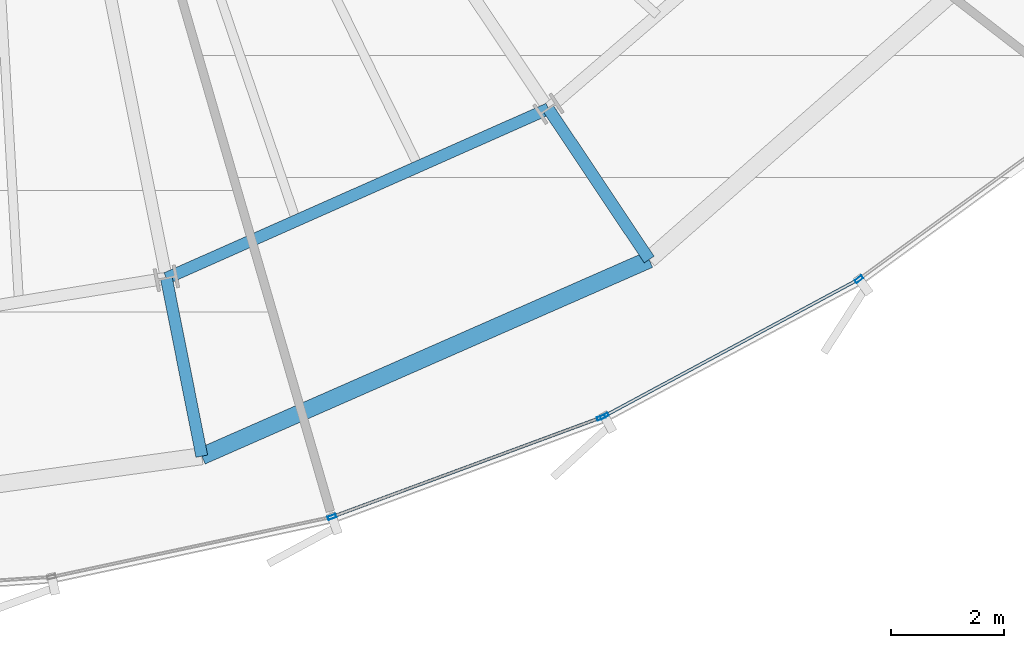
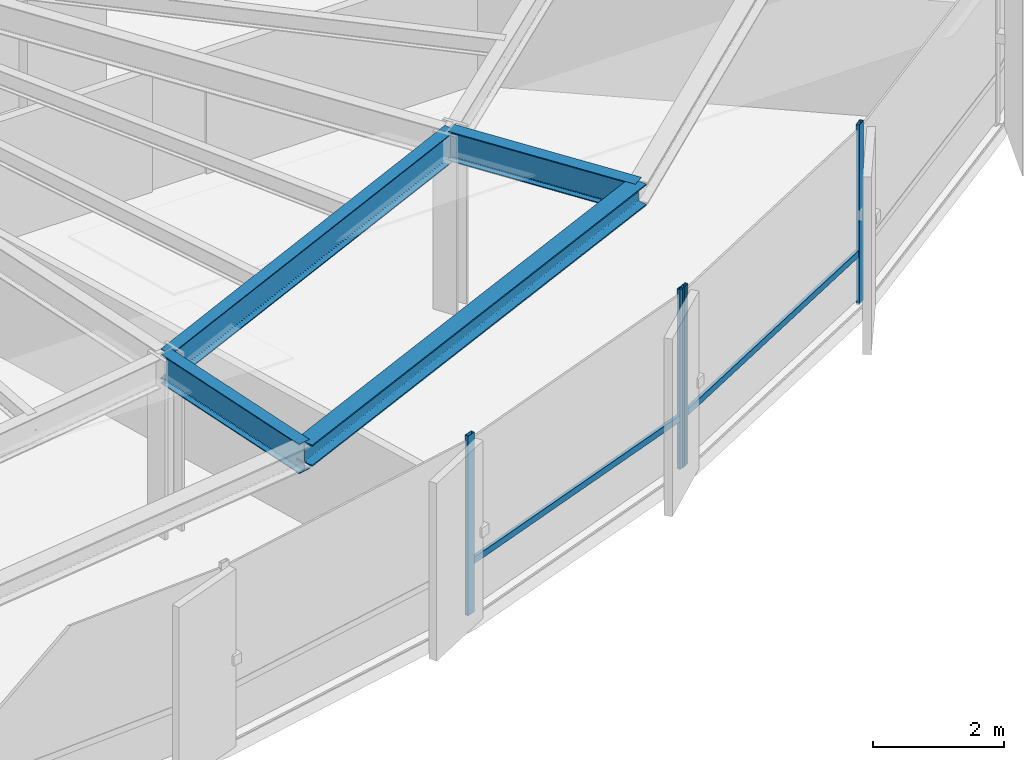
# One storey, part 11 of 35: 6 members, 4 beams, 2 elements without a shape of their own.
"""IFC4 building model written with IfcOpenShell, lengths in metres."""

from ifc_helpers import new_model, si_unit, direction, frame, origin, origin_2d, place, context, subcontext, project, spatial, hollow_rectangle, i_section, extrude, source, transform, mapped, material, layer, layer_set, material_profile, profile_set, type_object, element, aggregate, save


model = new_model("IFC4")

# Units and contexts
model_context = context("Model", 3, precision=1e-05, world=origin(), true_north=direction((0.0, 1.0)))
body_context = subcontext(model_context, "Body", "Model", "MODEL_VIEW")
ifc_project = project(units=[si_unit("LENGTHUNIT", "METRE"), si_unit("AREAUNIT", "SQUARE_METRE"), si_unit("VOLUMEUNIT", "CUBIC_METRE"), si_unit("PLANEANGLEUNIT", "RADIAN"), si_unit("MASSUNIT", "GRAM", prefix="KILO"), si_unit("THERMODYNAMICTEMPERATUREUNIT", "KELVIN")], contexts=[model_context])

# Site, building, storey
site_placement = place(None, origin())
site = spatial("IfcSite", under=ifc_project, at=site_placement, CompositionType="ELEMENT")
building_placement = place(site_placement, origin())
building = spatial("IfcBuilding", under=site, at=building_placement, Name="Kethvar Cultural Tower", CompositionType="ELEMENT")
storey_placement = place(building_placement, frame((0.0, 0.0, 100.0)))
storey = spatial("IfcBuildingStorey", under=building, at=storey_placement, Name="L24", CompositionType="ELEMENT", Elevation=100.0)

# Beams
ifc_material_1 = material(Name="Steel S355J2", Category="steel")
ifc_material_profile_1 = material_profile(ifc_material_1, i_section(OverallWidth=0.2099609375, OverallDepth=0.550048828125, WebThickness=0.010986328125, FlangeThickness=0.01708984375, FilletRadius=0.02392578125, at=origin_2d()), Name="Steel S355J2 — IPE550")
ifc_profile_set_1 = profile_set([ifc_material_profile_1], Name="Steel S355J2 — IPE550")
beam_type_1 = type_object("IfcBeamType", Name="BM-IPE550", PredefinedType="BEAM", material=ifc_profile_set_1)
shared_shape_1 = source(origin(), body_context, "Body", "SweptSolid", [
    extrude(i_section(OverallWidth=0.2099609375, OverallDepth=0.550048828125, WebThickness=0.010986328125, FlangeThickness=0.01708984375, FilletRadius=0.02392578125, at=origin_2d()), origin(), (0.0, 0.0, 1.0), 3.199951171875),
])
beam_1_placement = place(storey_placement, frame((57.241943359375, 12.17236328125, 3.072998046875), z_axis=(0.555580212716, -0.831462943996, 0.0), x_axis=(0.831462943996, 0.555580212716, 0.0)))
element("IfcBeam", 1, at=beam_1_placement, inside=storey, type_object=beam_type_1, Name="L24 Perimeter Cantilever Beam RC-14", PredefinedType="BEAM", context=body_context, shape_type="MappedRepresentation", body=[
    mapped(shared_shape_1, transform((0.0, 0.0, 0.0), scale=1.0)),
])
shared_shape_2 = source(origin(), body_context, "Body", "SweptSolid", [
    extrude(i_section(OverallWidth=0.2099609375, OverallDepth=0.550048828125, WebThickness=0.010986328125, FlangeThickness=0.01708984375, FilletRadius=0.02392578125, at=origin_2d()), origin(), (0.0, 0.0, 1.0), 3.2001953125),
])
beam_2_placement = place(storey_placement, frame((50.50341796875, 9.182373046875, 3.072998046875), z_axis=(0.195074368086, -0.980788453702, 0.0), x_axis=(0.980788453702, 0.195074368086, 0.0)))
element("IfcBeam", 2, at=beam_2_placement, inside=storey, type_object=beam_type_1, Name="L24 Perimeter Cantilever Beam RC-13", PredefinedType="BEAM", context=body_context, shape_type="MappedRepresentation", body=[
    mapped(shared_shape_2, transform((0.0, 0.0, 0.0), scale=1.0)),
])
shared_shape_3 = source(origin(), body_context, "Body", "SweptSolid", [
    extrude(i_section(OverallWidth=0.2099609375, OverallDepth=0.550048828125, WebThickness=0.010986328125, FlangeThickness=0.01708984375, FilletRadius=0.02392578125, at=origin_2d()), origin(), (0.0, 0.0, 1.0), 7.3720703125),
])
beam_3_placement = place(storey_placement, frame((50.50341796875, 9.182373046875, 3.072998046875), z_axis=(0.914058560918, 0.405582232367, 0.0), x_axis=(-0.405582232367, 0.914058560918, 0.0)))
element("IfcBeam", 3, at=beam_3_placement, inside=storey, type_object=beam_type_1, Name="L24 Column Ring Tie Beam CR-13", PredefinedType="BEAM", context=body_context, shape_type="MappedRepresentation", body=[
    mapped(shared_shape_3, transform((0.0, 0.0, 0.0), scale=1.0)),
])
ifc_material_profile_2 = material_profile(ifc_material_1, i_section(OverallWidth=0.300048828125, OverallDepth=0.39990234375, WebThickness=0.013427734375, FlangeThickness=0.02392578125, FilletRadius=0.027099609375, at=origin_2d()), Name="Steel S355J2 — HEB400")
ifc_profile_set_2 = profile_set([ifc_material_profile_2], Name="Steel S355J2 — HEB400")
beam_type_2 = type_object("IfcBeamType", Name="BM-SP400", PredefinedType="SPANDREL", material=ifc_profile_set_2)
shared_shape_4 = source(origin(), body_context, "Body", "SweptSolid", [
    extrude(i_section(OverallWidth=0.300048828125, OverallDepth=0.39990234375, WebThickness=0.013427734375, FlangeThickness=0.02392578125, FilletRadius=0.027099609375, at=origin_2d()), origin(), (0.0, 0.0, 1.0), 8.620361328125),
])
beam_4_placement = place(storey_placement, frame((51.127685546875, 6.043701171875, 3.14794921875), z_axis=(0.915507442902, 0.402301034041, 0.0), x_axis=(-0.402301034041, 0.915507442902, 0.0)))
element("IfcBeam", 4, at=beam_4_placement, inside=storey, type_object=beam_type_2, Name="L24 Perimeter Spandrel Beam SP-13", PredefinedType="SPANDREL", context=body_context, shape_type="MappedRepresentation", body=[
    mapped(shared_shape_4, transform((0.0, 0.0, 0.0), scale=1.0)),
])

# Curtain wall, members
ifc_material_2 = material(Name="Aluminium 6063-T6", Category="aluminium")
ifc_layer = layer(ifc_material_2, 0.179931640625, Name="Aluminium 6063-T6", Category="aluminium")
ifc_layer_set = layer_set([ifc_layer], Name="Aluminium 6063-T6 (180 mm)")
curtain_wall_type = type_object("IfcCurtainWallType", Name="CW-SYS-03-Z2", PredefinedType="NOTDEFINED", material=ifc_layer_set)
curtain_wall_1_placement = place(storey_placement, origin())
curtain_wall_1 = element("IfcCurtainWall", 5, at=curtain_wall_1_placement, inside=storey, type_object=curtain_wall_type, Name="L24 Curtain Wall Run 05", PredefinedType="NOTDEFINED")
ifc_material_profile_3 = material_profile(ifc_material_2, hollow_rectangle(XDim=0.06005859375, YDim=0.14990234375, WallThickness=0.0048828125, at=origin_2d()), Name="Aluminium 6063-T6 — RHS150x60x5")
ifc_profile_set_3 = profile_set([ifc_material_profile_3], Name="Aluminium 6063-T6 — RHS150x60x5")
member_type_1 = type_object("IfcMemberType", Name="CW-SYS-03-Z2-MUL", PredefinedType="MULLION", material=ifc_profile_set_3)
shared_shape_5 = source(origin(), body_context, "Body", "SweptSolid", [
    extrude(hollow_rectangle(XDim=0.06005859375, YDim=0.14990234375, WallThickness=0.0048828125, at=origin_2d()), origin(), (0.0, 0.0, 1.0), 3.35009765625),
])
member_1_placement = place(storey_placement, frame((53.423583984375, 4.9716796875, 0.0), z_axis=(0.0, 0.0, 1.0), x_axis=(-0.346575502509, 0.938022079197, 0.0)))
member_1 = element("IfcMember", 6, at=member_1_placement, type_object=member_type_1, Name="CW-L24-R05 Mullion 6", PredefinedType="MULLION", context=body_context, shape_type="MappedRepresentation", body=[
    mapped(shared_shape_5, transform((0.0, 0.0, 0.0), scale=1.0)),
])
member_2_placement = place(storey_placement, frame((58.17333984375, 6.7265625, 0.0), z_axis=(0.0, 0.0, 1.0), x_axis=(-0.346575502509, 0.938022079197, 0.0)))
member_2 = element("IfcMember", 7, at=member_2_placement, type_object=member_type_1, Name="CW-L24-R05 Mullion 7", PredefinedType="MULLION", context=body_context, shape_type="MappedRepresentation", body=[
    mapped(shared_shape_5, transform((0.0, 0.0, 0.0), scale=1.0)),
])

curtain_wall_2_placement = place(storey_placement, origin())
curtain_wall_2 = element("IfcCurtainWall", 8, at=curtain_wall_2_placement, inside=storey, type_object=curtain_wall_type, Name="L24 Curtain Wall Run 06", PredefinedType="NOTDEFINED")
member_3_placement = place(storey_placement, frame((58.2294921875, 6.751953125, 0.0), z_axis=(0.0, 0.0, 1.0), x_axis=(-0.473611755586, 0.880733731028, 0.0)))
member_3 = element("IfcMember", 9, at=member_3_placement, type_object=member_type_1, Name="CW-L24-R06 Mullion 1", PredefinedType="MULLION", context=body_context, shape_type="MappedRepresentation", body=[
    mapped(shared_shape_5, transform((0.0, 0.0, 0.0), scale=1.0)),
])
member_4_placement = place(storey_placement, frame((62.720947265625, 9.166015625, 0.0), z_axis=(0.0, 0.0, 1.0), x_axis=(-0.58908353494, 0.808072143353, 0.0)))
member_4 = element("IfcMember", 10, at=member_4_placement, type_object=member_type_1, Name="CW-L24-R06 Mullion 2", PredefinedType="MULLION", context=body_context, shape_type="MappedRepresentation", body=[
    mapped(shared_shape_5, transform((0.0, 0.0, 0.0), scale=1.0)),
])
ifc_material_profile_4 = material_profile(ifc_material_2, hollow_rectangle(XDim=0.054931640625, YDim=0.1201171875, WallThickness=0.00390625, at=origin_2d()), Name="Aluminium 6063-T6 — RHS120x55x4")
ifc_profile_set_4 = profile_set([ifc_material_profile_4], Name="Aluminium 6063-T6 — RHS120x55x4")
member_type_2 = type_object("IfcMemberType", Name="CW-SYS-03-Z2-TRN", PredefinedType="USERDEFINED", material=ifc_profile_set_4)
shared_shape_6 = source(origin(), body_context, "Body", "SweptSolid", [
    extrude(hollow_rectangle(XDim=0.054931640625, YDim=0.1201171875, WallThickness=0.00390625, at=origin_2d()), origin(), (0.0, 0.0, 1.0), 5.067138671875),
])
member_5_placement = place(storey_placement, frame((58.2333984375, 6.75390625, 0.949951171875), z_axis=(0.880723158552, 0.473631415754, 0.0), x_axis=(-0.473631415754, 0.880723158552, 0.0)))
member_5 = element("IfcMember", 11, at=member_5_placement, type_object=member_type_2, Name="CW-L24-R06 Transom 1", ObjectType="TRANSOM", PredefinedType="USERDEFINED", context=body_context, shape_type="MappedRepresentation", body=[
    mapped(shared_shape_6, transform((0.0, 0.0, 0.0), scale=1.0)),
])
aggregate(curtain_wall_2, [member_3, member_4, member_5])

# Member
shared_shape_7 = source(origin(), body_context, "Body", "SweptSolid", [
    extrude(hollow_rectangle(XDim=0.054931640625, YDim=0.1201171875, WallThickness=0.00390625, at=origin_2d()), origin(), (0.0, 0.0, 1.0), 5.015625),
])
member_6_placement = place(storey_placement, frame((53.46435546875, 4.98681640625, 0.949951171875), z_axis=(0.93802442921, 0.346569142026, 0.0), x_axis=(-0.346569142026, 0.93802442921, 0.0)))
member_6 = element("IfcMember", 12, at=member_6_placement, type_object=member_type_2, Name="CW-L24-R05 Transom 6", ObjectType="TRANSOM", PredefinedType="USERDEFINED", context=body_context, shape_type="MappedRepresentation", body=[
    mapped(shared_shape_7, transform((0.0, 0.0, 0.0), scale=1.0)),
])

aggregate(curtain_wall_1, [member_1, member_2, member_6])

save(model, "model.ifc")
